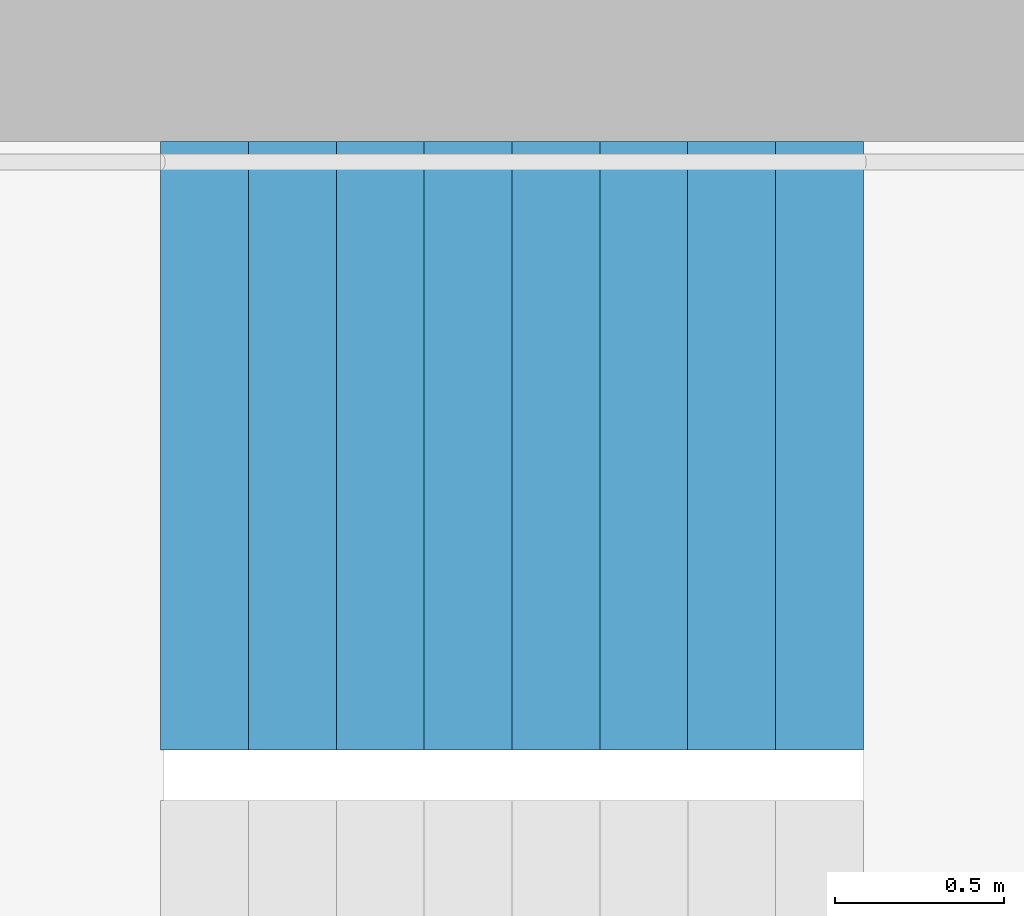
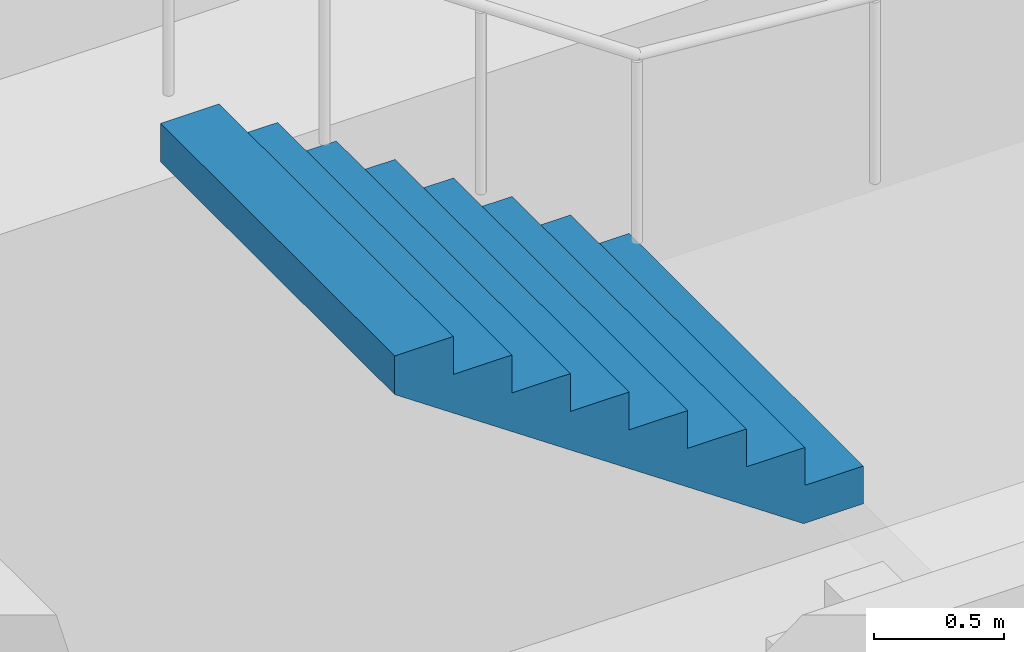
# One storey, part 21 of 30: 1 stair flight, 1 element without a shape of its own.
"""IFC4 building model written with IfcOpenShell, lengths in metres."""

from ifc_helpers import new_model, si_unit, direction, frame, origin, place, context, subcontext, project, spatial, triangles, material, type_object, element, aggregate, save


model = new_model("IFC4")

# Units and contexts
model_context = context("Model", 3, precision=1e-05, world=origin(), true_north=direction((0.0, 1.0)))
body_context = subcontext(model_context, "Body", "Model", "MODEL_VIEW")
ifc_project = project(units=[si_unit("LENGTHUNIT", "METRE"), si_unit("AREAUNIT", "SQUARE_METRE"), si_unit("VOLUMEUNIT", "CUBIC_METRE"), si_unit("PLANEANGLEUNIT", "RADIAN"), si_unit("MASSUNIT", "GRAM", prefix="KILO")], contexts=[model_context])

# Site, building, storey
site_placement = place(None, origin())
site = spatial("IfcSite", under=ifc_project, at=site_placement, CompositionType="ELEMENT")
building_placement = place(site_placement, origin())
building = spatial("IfcBuilding", under=site, at=building_placement, Name="Hakoniwa Tower and Hamabe Station Hall", CompositionType="ELEMENT")
storey_placement = place(building_placement, frame((0.0, 0.0, 245.39990234375)))
storey = spatial("IfcBuildingStorey", under=building, at=storey_placement, Name="L69", CompositionType="ELEMENT", Elevation=245.39990234375)

# Stair, stair flight
ifc_material_1 = material(Name="Concrete C40", Category="concrete")
stair_type = type_object("IfcStairType", Name="ESCAPE STAIR 1800", PredefinedType="HALF_TURN_STAIR", material=ifc_material_1)
stair_placement = place(storey_placement, origin())
stair = element("IfcStair", 1, at=stair_placement, inside=storey, type_object=stair_type, Name="Escape stair ST-1 L69", PredefinedType="HALF_TURN_STAIR")
ifc_material_2 = material(Name="Concrete C40", Category="concrete")
stair_flight_type = type_object("IfcStairFlightType", Name="STAIR FLIGHT 1800", PredefinedType="STRAIGHT", material=ifc_material_2)
stair_flight_placement = place(storey_placement, frame((-22.320068359375, 6.60009765625, 1.60009765625), z_axis=(0.0, 0.0, 1.0), x_axis=(-1.0, 0.0, 0.0)))
stair_flight = element("IfcStairFlight", 2, at=stair_flight_placement, type_object=stair_flight_type, Name="ST-1 flight 2", NumberOfRisers=9, NumberOfTreads=8, PredefinedType="STRAIGHT", RiserHeight=0.177777778, TreadLength=0.26, context=body_context, shape_type="Tessellation", body=[
    triangles([(0.0, 0.89990234375, 0.0), (0.260009765625, 0.89990234375, 0.0), (0.265625, 0.89990234375, 0.0), (0.52001953125, 0.89990234375, 0.174072265625), (0.780029296875, 0.89990234375, 0.351806640625), (1.0400390625, 0.89990234375, 0.529541015625), (1.300048828125, 0.89990234375, 0.707275390625), (1.56005859375, 0.89990234375, 0.885009765625), (1.820068359375, 0.89990234375, 1.062744140625), (2.080078125, 0.89990234375, 1.24072265625), (2.080078125, 0.89990234375, 1.422119140625), (1.820068359375, 0.89990234375, 1.422119140625), (1.820068359375, 0.89990234375, 1.244384765625), (1.56005859375, 0.89990234375, 1.244384765625), (1.56005859375, 0.89990234375, 1.066650390625), (1.300048828125, 0.89990234375, 1.066650390625), (1.300048828125, 0.89990234375, 0.888916015625), (1.0400390625, 0.89990234375, 0.888916015625), (1.0400390625, 0.89990234375, 0.711181640625), (0.780029296875, 0.89990234375, 0.711181640625), (0.780029296875, 0.89990234375, 0.533447265625), (0.52001953125, 0.89990234375, 0.533447265625), (0.52001953125, 0.89990234375, 0.35546875), (0.265625, 0.89990234375, 0.35546875), (0.260009765625, 0.89990234375, 0.35546875), (0.260009765625, 0.89990234375, 0.177734375), (0.0, 0.89990234375, 0.177734375), (0.0, 0.06005859375, 0.0), (0.260009765625, 0.06005859375, 0.0), (0.265625, 0.06005859375, 0.0), (0.52001953125, 0.06005859375, 0.174072265625), (0.780029296875, 0.06005859375, 0.351806640625), (1.0400390625, 0.06005859375, 0.529541015625), (1.300048828125, 0.06005859375, 0.707275390625), (1.56005859375, 0.06005859375, 0.885009765625), (1.820068359375, 0.06005859375, 1.062744140625), (2.080078125, 0.06005859375, 1.24072265625), (2.080078125, 0.06005859375, 1.422119140625), (1.820068359375, 0.06005859375, 1.422119140625), (1.820068359375, 0.06005859375, 1.244384765625), (1.56005859375, 0.06005859375, 1.244384765625), (1.56005859375, 0.06005859375, 1.066650390625), (1.300048828125, 0.06005859375, 1.066650390625), (1.300048828125, 0.06005859375, 0.888916015625), (1.0400390625, 0.06005859375, 0.888916015625), (1.0400390625, 0.06005859375, 0.711181640625), (0.780029296875, 0.06005859375, 0.711181640625), (0.780029296875, 0.06005859375, 0.533447265625), (0.52001953125, 0.06005859375, 0.533447265625), (0.52001953125, 0.06005859375, 0.35546875), (0.265625, 0.06005859375, 0.35546875), (0.260009765625, 0.06005859375, 0.35546875), (0.260009765625, 0.06005859375, 0.177734375), (0.0, 0.06005859375, 0.177734375), (0.0, 0.04296875, 0.0), (0.260009765625, 0.04296875, 0.0), (0.265625, 0.04296875, 0.0), (0.52001953125, 0.04296875, 0.174072265625), (0.780029296875, 0.04296875, 0.351806640625), (1.0400390625, 0.04296875, 0.529541015625), (1.300048828125, 0.04296875, 0.707275390625), (1.56005859375, 0.04296875, 0.885009765625), (1.820068359375, 0.04296875, 1.062744140625), (2.080078125, 0.04296875, 1.24072265625), (2.080078125, 0.04296875, 1.422119140625), (1.820068359375, 0.04296875, 1.422119140625), (1.820068359375, 0.04296875, 1.244384765625), (1.56005859375, 0.04296875, 1.244384765625), (1.56005859375, 0.04296875, 1.066650390625), (1.300048828125, 0.04296875, 1.066650390625), (1.300048828125, 0.04296875, 0.888916015625), (1.0400390625, 0.04296875, 0.888916015625), (1.0400390625, 0.04296875, 0.711181640625), (0.780029296875, 0.04296875, 0.711181640625), (0.780029296875, 0.04296875, 0.533447265625), (0.52001953125, 0.04296875, 0.533447265625), (0.52001953125, 0.04296875, 0.35546875), (0.265625, 0.04296875, 0.35546875), (0.260009765625, 0.04296875, 0.35546875), (0.260009765625, 0.04296875, 0.177734375), (0.0, 0.04296875, 0.177734375), (0.0, 0.025634765625, 0.0), (0.260009765625, 0.025634765625, 0.0), (0.265625, 0.025634765625, 0.0), (0.52001953125, 0.025634765625, 0.174072265625), (0.780029296875, 0.025634765625, 0.351806640625), (1.0400390625, 0.025634765625, 0.529541015625), (1.300048828125, 0.025634765625, 0.707275390625), (1.56005859375, 0.025634765625, 0.885009765625), (1.820068359375, 0.025634765625, 1.062744140625), (2.080078125, 0.025634765625, 1.24072265625), (2.080078125, 0.025634765625, 1.422119140625), (1.820068359375, 0.025634765625, 1.422119140625), (1.820068359375, 0.025634765625, 1.244384765625), (1.56005859375, 0.025634765625, 1.244384765625), (1.56005859375, 0.025634765625, 1.066650390625), (1.300048828125, 0.025634765625, 1.066650390625), (1.300048828125, 0.025634765625, 0.888916015625), (1.0400390625, 0.025634765625, 0.888916015625), (1.0400390625, 0.025634765625, 0.711181640625), (0.780029296875, 0.025634765625, 0.711181640625), (0.780029296875, 0.025634765625, 0.533447265625), (0.52001953125, 0.025634765625, 0.533447265625), (0.52001953125, 0.025634765625, 0.35546875), (0.265625, 0.025634765625, 0.35546875), (0.260009765625, 0.025634765625, 0.35546875), (0.260009765625, 0.025634765625, 0.177734375), (0.0, 0.025634765625, 0.177734375), (0.0, 0.008544921875, 0.0), (0.260009765625, 0.008544921875, 0.0), (0.265625, 0.008544921875, 0.0), (0.52001953125, 0.008544921875, 0.174072265625), (0.780029296875, 0.008544921875, 0.351806640625), (1.0400390625, 0.008544921875, 0.529541015625), (1.300048828125, 0.008544921875, 0.707275390625), (1.56005859375, 0.008544921875, 0.885009765625), (1.820068359375, 0.008544921875, 1.062744140625), (2.080078125, 0.008544921875, 1.24072265625), (2.080078125, 0.008544921875, 1.422119140625), (1.820068359375, 0.008544921875, 1.422119140625), (1.820068359375, 0.008544921875, 1.244384765625), (1.56005859375, 0.008544921875, 1.244384765625), (1.56005859375, 0.008544921875, 1.066650390625), (1.300048828125, 0.008544921875, 1.066650390625), (1.300048828125, 0.008544921875, 0.888916015625), (1.0400390625, 0.008544921875, 0.888916015625), (1.0400390625, 0.008544921875, 0.711181640625), (0.780029296875, 0.008544921875, 0.711181640625), (0.780029296875, 0.008544921875, 0.533447265625), (0.52001953125, 0.008544921875, 0.533447265625), (0.52001953125, 0.008544921875, 0.35546875), (0.265625, 0.008544921875, 0.35546875), (0.260009765625, 0.008544921875, 0.35546875), (0.260009765625, 0.008544921875, 0.177734375), (0.0, 0.008544921875, 0.177734375), (0.0, -0.008544921875, 0.0), (0.260009765625, -0.008544921875, 0.0), (0.265625, -0.008544921875, 0.0), (0.52001953125, -0.008544921875, 0.174072265625), (0.780029296875, -0.008544921875, 0.351806640625), (1.0400390625, -0.008544921875, 0.529541015625), (1.300048828125, -0.008544921875, 0.707275390625), (1.56005859375, -0.008544921875, 0.885009765625), (1.820068359375, -0.008544921875, 1.062744140625), (2.080078125, -0.008544921875, 1.24072265625), (2.080078125, -0.008544921875, 1.422119140625), (1.820068359375, -0.008544921875, 1.422119140625), (1.820068359375, -0.008544921875, 1.244384765625), (1.56005859375, -0.008544921875, 1.244384765625), (1.56005859375, -0.008544921875, 1.066650390625), (1.300048828125, -0.008544921875, 1.066650390625), (1.300048828125, -0.008544921875, 0.888916015625), (1.0400390625, -0.008544921875, 0.888916015625), (1.0400390625, -0.008544921875, 0.711181640625), (0.780029296875, -0.008544921875, 0.711181640625), (0.780029296875, -0.008544921875, 0.533447265625), (0.52001953125, -0.008544921875, 0.533447265625), (0.52001953125, -0.008544921875, 0.35546875), (0.265625, -0.008544921875, 0.35546875), (0.260009765625, -0.008544921875, 0.35546875), (0.260009765625, -0.008544921875, 0.177734375), (0.0, -0.008544921875, 0.177734375), (0.0, -0.025634765625, 0.0), (0.260009765625, -0.025634765625, 0.0), (0.265625, -0.025634765625, 0.0), (0.52001953125, -0.025634765625, 0.174072265625), (0.780029296875, -0.025634765625, 0.351806640625), (1.0400390625, -0.025634765625, 0.529541015625), (1.300048828125, -0.025634765625, 0.707275390625), (1.56005859375, -0.025634765625, 0.885009765625), (1.820068359375, -0.025634765625, 1.062744140625), (2.080078125, -0.025634765625, 1.24072265625), (2.080078125, -0.025634765625, 1.422119140625), (1.820068359375, -0.025634765625, 1.422119140625), (1.820068359375, -0.025634765625, 1.244384765625), (1.56005859375, -0.025634765625, 1.244384765625), (1.56005859375, -0.025634765625, 1.066650390625), (1.300048828125, -0.025634765625, 1.066650390625), (1.300048828125, -0.025634765625, 0.888916015625), (1.0400390625, -0.025634765625, 0.888916015625), (1.0400390625, -0.025634765625, 0.711181640625), (0.780029296875, -0.025634765625, 0.711181640625), (0.780029296875, -0.025634765625, 0.533447265625), (0.52001953125, -0.025634765625, 0.533447265625), (0.52001953125, -0.025634765625, 0.35546875), (0.265625, -0.025634765625, 0.35546875), (0.260009765625, -0.025634765625, 0.35546875), (0.260009765625, -0.025634765625, 0.177734375), (0.0, -0.025634765625, 0.177734375), (0.0, -0.04296875, 0.0), (0.260009765625, -0.04296875, 0.0), (0.265625, -0.04296875, 0.0), (0.52001953125, -0.04296875, 0.174072265625), (0.780029296875, -0.04296875, 0.351806640625), (1.0400390625, -0.04296875, 0.529541015625), (1.300048828125, -0.04296875, 0.707275390625), (1.56005859375, -0.04296875, 0.885009765625), (1.820068359375, -0.04296875, 1.062744140625), (2.080078125, -0.04296875, 1.24072265625), (2.080078125, -0.04296875, 1.422119140625), (1.820068359375, -0.04296875, 1.422119140625), (1.820068359375, -0.04296875, 1.244384765625), (1.56005859375, -0.04296875, 1.244384765625), (1.56005859375, -0.04296875, 1.066650390625), (1.300048828125, -0.04296875, 1.066650390625), (1.300048828125, -0.04296875, 0.888916015625), (1.0400390625, -0.04296875, 0.888916015625), (1.0400390625, -0.04296875, 0.711181640625), (0.780029296875, -0.04296875, 0.711181640625), (0.780029296875, -0.04296875, 0.533447265625), (0.52001953125, -0.04296875, 0.533447265625), (0.52001953125, -0.04296875, 0.35546875), (0.265625, -0.04296875, 0.35546875), (0.260009765625, -0.04296875, 0.35546875), (0.260009765625, -0.04296875, 0.177734375), (0.0, -0.04296875, 0.177734375), (0.0, -0.06005859375, 0.0), (0.260009765625, -0.06005859375, 0.0), (0.265625, -0.06005859375, 0.0), (0.52001953125, -0.06005859375, 0.174072265625), (0.780029296875, -0.06005859375, 0.351806640625), (1.0400390625, -0.06005859375, 0.529541015625), (1.300048828125, -0.06005859375, 0.707275390625), (1.56005859375, -0.06005859375, 0.885009765625), (1.820068359375, -0.06005859375, 1.062744140625), (2.080078125, -0.06005859375, 1.24072265625), (2.080078125, -0.06005859375, 1.422119140625), (1.820068359375, -0.06005859375, 1.422119140625), (1.820068359375, -0.06005859375, 1.244384765625), (1.56005859375, -0.06005859375, 1.244384765625), (1.56005859375, -0.06005859375, 1.066650390625), (1.300048828125, -0.06005859375, 1.066650390625), (1.300048828125, -0.06005859375, 0.888916015625), (1.0400390625, -0.06005859375, 0.888916015625), (1.0400390625, -0.06005859375, 0.711181640625), (0.780029296875, -0.06005859375, 0.711181640625), (0.780029296875, -0.06005859375, 0.533447265625), (0.52001953125, -0.06005859375, 0.533447265625), (0.52001953125, -0.06005859375, 0.35546875), (0.265625, -0.06005859375, 0.35546875), (0.260009765625, -0.06005859375, 0.35546875), (0.260009765625, -0.06005859375, 0.177734375), (0.0, -0.06005859375, 0.177734375), (0.0, -0.89990234375, 0.0), (0.260009765625, -0.89990234375, 0.0), (0.265625, -0.89990234375, 0.0), (0.52001953125, -0.89990234375, 0.174072265625), (0.780029296875, -0.89990234375, 0.351806640625), (1.0400390625, -0.89990234375, 0.529541015625), (1.300048828125, -0.89990234375, 0.707275390625), (1.56005859375, -0.89990234375, 0.885009765625), (1.820068359375, -0.89990234375, 1.062744140625), (2.080078125, -0.89990234375, 1.24072265625), (2.080078125, -0.89990234375, 1.422119140625), (1.820068359375, -0.89990234375, 1.422119140625), (1.820068359375, -0.89990234375, 1.244384765625), (1.56005859375, -0.89990234375, 1.244384765625), (1.56005859375, -0.89990234375, 1.066650390625), (1.300048828125, -0.89990234375, 1.066650390625), (1.300048828125, -0.89990234375, 0.888916015625), (1.0400390625, -0.89990234375, 0.888916015625), (1.0400390625, -0.89990234375, 0.711181640625), (0.780029296875, -0.89990234375, 0.711181640625), (0.780029296875, -0.89990234375, 0.533447265625), (0.52001953125, -0.89990234375, 0.533447265625), (0.52001953125, -0.89990234375, 0.35546875), (0.265625, -0.89990234375, 0.35546875), (0.260009765625, -0.89990234375, 0.35546875), (0.260009765625, -0.89990234375, 0.177734375), (0.0, -0.89990234375, 0.177734375)], [[2, 27, 26], [245, 269, 270], [2, 1, 27], [245, 270, 244], [3, 25, 24], [246, 267, 268], [3, 26, 25], [246, 268, 269], [3, 2, 26], [246, 269, 245], [4, 24, 23], [247, 266, 267], [4, 3, 24], [247, 267, 246], [5, 22, 21], [248, 264, 265], [5, 23, 22], [248, 265, 266], [5, 4, 23], [248, 266, 247], [6, 20, 19], [249, 262, 263], [6, 21, 20], [249, 263, 264], [6, 5, 21], [249, 264, 248], [7, 18, 17], [250, 260, 261], [7, 19, 18], [250, 261, 262], [7, 6, 19], [250, 262, 249], [8, 16, 15], [251, 258, 259], [8, 17, 16], [251, 259, 260], [8, 7, 17], [251, 260, 250], [9, 14, 13], [252, 256, 257], [9, 15, 14], [252, 257, 258], [9, 8, 15], [252, 258, 251], [10, 12, 11], [253, 254, 255], [10, 13, 12], [253, 255, 256], [10, 9, 13], [253, 256, 252], [1, 2, 29], [1, 29, 28], [28, 29, 56], [28, 56, 55], [55, 56, 83], [55, 83, 82], [82, 83, 110], [82, 110, 109], [109, 110, 137], [109, 137, 136], [136, 137, 164], [136, 164, 163], [163, 164, 191], [163, 191, 190], [190, 191, 218], [190, 218, 217], [217, 218, 245], [217, 245, 244], [2, 3, 30], [2, 30, 29], [29, 30, 57], [29, 57, 56], [56, 57, 84], [56, 84, 83], [83, 84, 111], [83, 111, 110], [110, 111, 138], [110, 138, 137], [137, 138, 165], [137, 165, 164], [164, 165, 192], [164, 192, 191], [191, 192, 219], [191, 219, 218], [218, 219, 246], [218, 246, 245], [3, 4, 31], [3, 31, 30], [30, 31, 58], [30, 58, 57], [57, 58, 85], [57, 85, 84], [84, 85, 112], [84, 112, 111], [111, 112, 139], [111, 139, 138], [138, 139, 166], [138, 166, 165], [165, 166, 193], [165, 193, 192], [192, 193, 220], [192, 220, 219], [219, 220, 247], [219, 247, 246], [4, 5, 32], [4, 32, 31], [31, 32, 59], [31, 59, 58], [58, 59, 86], [58, 86, 85], [85, 86, 113], [85, 113, 112], [112, 113, 140], [112, 140, 139], [139, 140, 167], [139, 167, 166], [166, 167, 194], [166, 194, 193], [193, 194, 221], [193, 221, 220], [220, 221, 248], [220, 248, 247], [5, 6, 33], [5, 33, 32], [32, 33, 60], [32, 60, 59], [59, 60, 87], [59, 87, 86], [86, 87, 114], [86, 114, 113], [113, 114, 141], [113, 141, 140], [140, 141, 168], [140, 168, 167], [167, 168, 195], [167, 195, 194], [194, 195, 222], [194, 222, 221], [221, 222, 249], [221, 249, 248], [6, 7, 34], [6, 34, 33], [33, 34, 61], [33, 61, 60], [60, 61, 88], [60, 88, 87], [87, 88, 115], [87, 115, 114], [114, 115, 142], [114, 142, 141], [141, 142, 169], [141, 169, 168], [168, 169, 196], [168, 196, 195], [195, 196, 223], [195, 223, 222], [222, 223, 250], [222, 250, 249], [7, 8, 35], [7, 35, 34], [34, 35, 62], [34, 62, 61], [61, 62, 89], [61, 89, 88], [88, 89, 116], [88, 116, 115], [115, 116, 143], [115, 143, 142], [142, 143, 170], [142, 170, 169], [169, 170, 197], [169, 197, 196], [196, 197, 224], [196, 224, 223], [223, 224, 251], [223, 251, 250], [8, 9, 36], [8, 36, 35], [35, 36, 63], [35, 63, 62], [62, 63, 90], [62, 90, 89], [89, 90, 117], [89, 117, 116], [116, 117, 144], [116, 144, 143], [143, 144, 171], [143, 171, 170], [170, 171, 198], [170, 198, 197], [197, 198, 225], [197, 225, 224], [224, 225, 252], [224, 252, 251], [9, 10, 37], [9, 37, 36], [36, 37, 64], [36, 64, 63], [63, 64, 91], [63, 91, 90], [90, 91, 118], [90, 118, 117], [117, 118, 145], [117, 145, 144], [144, 145, 172], [144, 172, 171], [171, 172, 199], [171, 199, 198], [198, 199, 226], [198, 226, 225], [225, 226, 253], [225, 253, 252], [10, 11, 38], [10, 38, 37], [37, 38, 65], [37, 65, 64], [64, 65, 92], [64, 92, 91], [91, 92, 119], [91, 119, 118], [118, 119, 146], [118, 146, 145], [145, 146, 173], [145, 173, 172], [172, 173, 200], [172, 200, 199], [199, 200, 227], [199, 227, 226], [226, 227, 254], [226, 254, 253], [11, 12, 39], [11, 39, 38], [38, 39, 66], [38, 66, 65], [65, 66, 93], [65, 93, 92], [92, 93, 120], [92, 120, 119], [119, 120, 147], [119, 147, 146], [146, 147, 174], [146, 174, 173], [173, 174, 201], [173, 201, 200], [200, 201, 228], [200, 228, 227], [227, 228, 255], [227, 255, 254], [12, 13, 40], [12, 40, 39], [39, 40, 67], [39, 67, 66], [66, 67, 94], [66, 94, 93], [93, 94, 121], [93, 121, 120], [120, 121, 148], [120, 148, 147], [147, 148, 175], [147, 175, 174], [174, 175, 202], [174, 202, 201], [201, 202, 229], [201, 229, 228], [228, 229, 256], [228, 256, 255], [13, 14, 41], [13, 41, 40], [40, 41, 68], [40, 68, 67], [67, 68, 95], [67, 95, 94], [94, 95, 122], [94, 122, 121], [121, 122, 149], [121, 149, 148], [148, 149, 176], [148, 176, 175], [175, 176, 203], [175, 203, 202], [202, 203, 230], [202, 230, 229], [229, 230, 257], [229, 257, 256], [14, 15, 42], [14, 42, 41], [41, 42, 69], [41, 69, 68], [68, 69, 96], [68, 96, 95], [95, 96, 123], [95, 123, 122], [122, 123, 150], [122, 150, 149], [149, 150, 177], [149, 177, 176], [176, 177, 204], [176, 204, 203], [203, 204, 231], [203, 231, 230], [230, 231, 258], [230, 258, 257], [15, 16, 43], [15, 43, 42], [42, 43, 70], [42, 70, 69], [69, 70, 97], [69, 97, 96], [96, 97, 124], [96, 124, 123], [123, 124, 151], [123, 151, 150], [150, 151, 178], [150, 178, 177], [177, 178, 205], [177, 205, 204], [204, 205, 232], [204, 232, 231], [231, 232, 259], [231, 259, 258], [16, 17, 44], [16, 44, 43], [43, 44, 71], [43, 71, 70], [70, 71, 98], [70, 98, 97], [97, 98, 125], [97, 125, 124], [124, 125, 152], [124, 152, 151], [151, 152, 179], [151, 179, 178], [178, 179, 206], [178, 206, 205], [205, 206, 233], [205, 233, 232], [232, 233, 260], [232, 260, 259], [17, 18, 45], [17, 45, 44], [44, 45, 72], [44, 72, 71], [71, 72, 99], [71, 99, 98], [98, 99, 126], [98, 126, 125], [125, 126, 153], [125, 153, 152], [152, 153, 180], [152, 180, 179], [179, 180, 207], [179, 207, 206], [206, 207, 234], [206, 234, 233], [233, 234, 261], [233, 261, 260], [18, 19, 46], [18, 46, 45], [45, 46, 73], [45, 73, 72], [72, 73, 100], [72, 100, 99], [99, 100, 127], [99, 127, 126], [126, 127, 154], [126, 154, 153], [153, 154, 181], [153, 181, 180], [180, 181, 208], [180, 208, 207], [207, 208, 235], [207, 235, 234], [234, 235, 262], [234, 262, 261], [19, 20, 47], [19, 47, 46], [46, 47, 74], [46, 74, 73], [73, 74, 101], [73, 101, 100], [100, 101, 128], [100, 128, 127], [127, 128, 155], [127, 155, 154], [154, 155, 182], [154, 182, 181], [181, 182, 209], [181, 209, 208], [208, 209, 236], [208, 236, 235], [235, 236, 263], [235, 263, 262], [20, 21, 48], [20, 48, 47], [47, 48, 75], [47, 75, 74], [74, 75, 102], [74, 102, 101], [101, 102, 129], [101, 129, 128], [128, 129, 156], [128, 156, 155], [155, 156, 183], [155, 183, 182], [182, 183, 210], [182, 210, 209], [209, 210, 237], [209, 237, 236], [236, 237, 264], [236, 264, 263], [21, 22, 49], [21, 49, 48], [48, 49, 76], [48, 76, 75], [75, 76, 103], [75, 103, 102], [102, 103, 130], [102, 130, 129], [129, 130, 157], [129, 157, 156], [156, 157, 184], [156, 184, 183], [183, 184, 211], [183, 211, 210], [210, 211, 238], [210, 238, 237], [237, 238, 265], [237, 265, 264], [22, 23, 50], [22, 50, 49], [49, 50, 77], [49, 77, 76], [76, 77, 104], [76, 104, 103], [103, 104, 131], [103, 131, 130], [130, 131, 158], [130, 158, 157], [157, 158, 185], [157, 185, 184], [184, 185, 212], [184, 212, 211], [211, 212, 239], [211, 239, 238], [238, 239, 266], [238, 266, 265], [23, 24, 51], [23, 51, 50], [50, 51, 78], [50, 78, 77], [77, 78, 105], [77, 105, 104], [104, 105, 132], [104, 132, 131], [131, 132, 159], [131, 159, 158], [158, 159, 186], [158, 186, 185], [185, 186, 213], [185, 213, 212], [212, 213, 240], [212, 240, 239], [239, 240, 267], [239, 267, 266], [24, 25, 52], [24, 52, 51], [51, 52, 79], [51, 79, 78], [78, 79, 106], [78, 106, 105], [105, 106, 133], [105, 133, 132], [132, 133, 160], [132, 160, 159], [159, 160, 187], [159, 187, 186], [186, 187, 214], [186, 214, 213], [213, 214, 241], [213, 241, 240], [240, 241, 268], [240, 268, 267], [25, 26, 53], [25, 53, 52], [52, 53, 80], [52, 80, 79], [79, 80, 107], [79, 107, 106], [106, 107, 134], [106, 134, 133], [133, 134, 161], [133, 161, 160], [160, 161, 188], [160, 188, 187], [187, 188, 215], [187, 215, 214], [214, 215, 242], [214, 242, 241], [241, 242, 269], [241, 269, 268], [26, 27, 54], [26, 54, 53], [53, 54, 81], [53, 81, 80], [80, 81, 108], [80, 108, 107], [107, 108, 135], [107, 135, 134], [134, 135, 162], [134, 162, 161], [161, 162, 189], [161, 189, 188], [188, 189, 216], [188, 216, 215], [215, 216, 243], [215, 243, 242], [242, 243, 270], [242, 270, 269], [27, 1, 28], [27, 28, 54], [54, 28, 55], [54, 55, 81], [81, 55, 82], [81, 82, 108], [108, 82, 109], [108, 109, 135], [135, 109, 136], [135, 136, 162], [162, 136, 163], [162, 163, 189], [189, 163, 190], [189, 190, 216], [216, 190, 217], [216, 217, 243], [243, 217, 244], [243, 244, 270]], closed=True),
])
aggregate(stair, [stair_flight])

save(model, "model.ifc")
